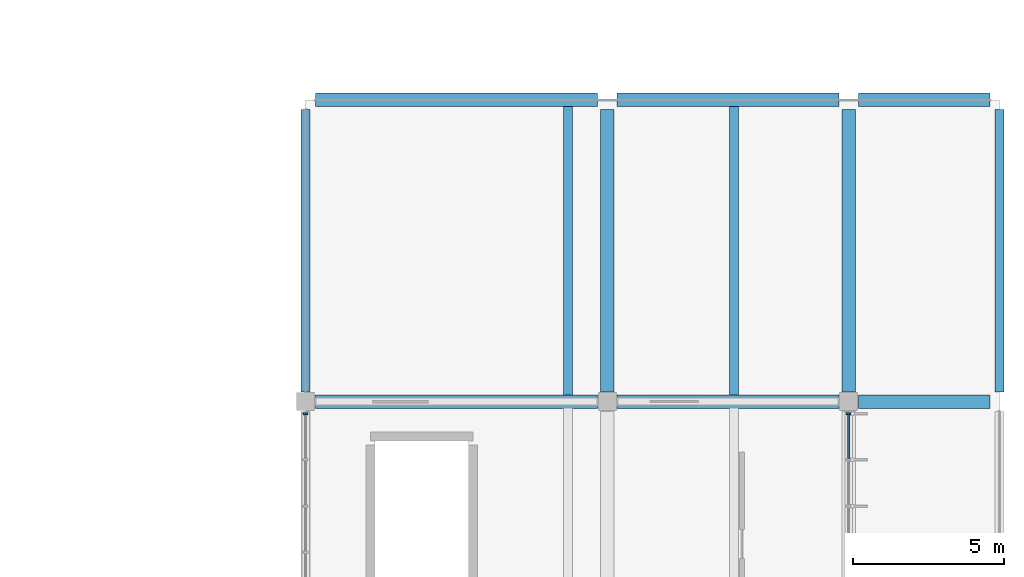
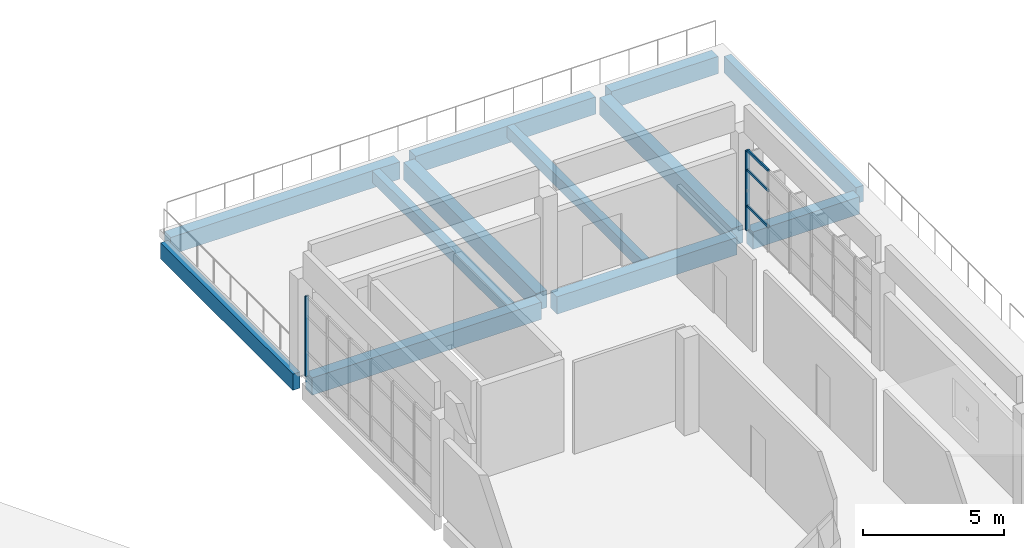
# One storey, part 14 of 39: 12 beams, 5 members, 2 elements without a shape of their own.
"""IFC4 building model written with IfcOpenShell, lengths in metres."""

import ifcopenshell
import ifcopenshell.guid

model = None  # the IFC model being written
_history = None  # IfcOwnerHistory: only IFC2X3 demands one
_inside = {}  # id of a spatial element -> (the spatial element, [elements in it])
_under = {}  # id of a project, library or spatial element -> (it, [spatial elements below it])
_declared = {}  # id of a project -> (the project, [libraries it declares])
_typed = {}  # id of a type object -> (the type object, [elements of that type])
_made_of = {}  # id of a material, layer set ... -> (it, [elements and type objects made of it])


def new_model(schema):
    """Start an empty IFC model of exactly this schema.

    Asked for "IFC4X3", IfcOpenShell would pick the latest addendum, in which some entities
    have other attributes; the version numbers below select the first issue.
    IFC2X3 requires an IfcOwnerHistory on every rooted entity: one is made here for all.
    """
    global model, _history
    if schema == "IFC4X3":
        model = ifcopenshell.file(schema_version=(4, 3, 0, 0))
    else:
        model = ifcopenshell.file(schema=schema)
    _inside.clear()
    _under.clear()
    _declared.clear()
    _typed.clear()
    _made_of.clear()
    _history = None
    if model.schema == "IFC2X3":
        org = make("IfcOrganization", Name="unknown")
        user = make(
            "IfcPersonAndOrganization",
            ThePerson=make("IfcPerson", FamilyName="unknown"),
            TheOrganization=org,
        )
        app = make(
            "IfcApplication",
            ApplicationDeveloper=org,
            Version="unknown",
            ApplicationFullName="unknown",
            ApplicationIdentifier="unknown",
        )
        _history = make(
            "IfcOwnerHistory",
            OwningUser=user,
            OwningApplication=app,
            ChangeAction="ADDED",
            CreationDate=0,
        )
    return model


def make(cls, **values):
    """One entity of the class cls with the attributes given. An attribute that is None is left unset."""
    return model.create_entity(
        cls, **{name: value for name, value in values.items() if value is not None}
    )


def rooted(cls, **values):
    """An entity with a GlobalId (a new one), such as an element, a storey or a relation."""
    return make(cls, GlobalId=ifcopenshell.guid.new(), OwnerHistory=_history, **values)


def si_unit(unit_type, name, prefix=None):
    """IfcSIUnit, for example si_unit("LENGTHUNIT", "METRE", prefix="MILLI")."""
    return make("IfcSIUnit", UnitType=unit_type, Prefix=prefix, Name=name)


def assignment(units):
    """IfcUnitAssignment: the units of a project."""
    return None if units is None else make("IfcUnitAssignment", Units=units)


def point(xyz):
    """IfcCartesianPoint."""
    return None if xyz is None else make("IfcCartesianPoint", Coordinates=xyz)


def direction(xyz):
    """IfcDirection."""
    return None if xyz is None else make("IfcDirection", DirectionRatios=xyz)


def frame(location, z_axis=None, x_axis=None):
    """IfcAxis2Placement3D, a coordinate frame: its origin and axes. An axis left out is left unset."""
    return make(
        "IfcAxis2Placement3D",
        Location=point(location),
        Axis=direction(z_axis),
        RefDirection=direction(x_axis),
    )


def frame_2d(location, x_axis=None):
    """IfcAxis2Placement2D, a coordinate frame in the plane: its origin and x axis."""
    return make(
        "IfcAxis2Placement2D", Location=point(location), RefDirection=direction(x_axis)
    )


def origin():
    """The frame at (0, 0, 0) with its axes left unset."""
    return frame((0.0, 0.0, 0.0))


def origin_2d():
    """The frame at (0, 0) in the plane with its x axis left unset."""
    return frame_2d((0.0, 0.0))


def place(relative_to, where):
    """IfcLocalPlacement: puts the frame where relative to a parent placement (None: the world)."""
    return make(
        "IfcLocalPlacement", PlacementRelTo=relative_to, RelativePlacement=where
    )


def context(
    kind, dimensions, precision=None, world=None, true_north=None, identifier=None
):
    """IfcGeometricRepresentationContext, for example the 3D "Model" context."""
    return make(
        "IfcGeometricRepresentationContext",
        ContextIdentifier=identifier,
        ContextType=kind,
        CoordinateSpaceDimension=dimensions,
        Precision=precision,
        WorldCoordinateSystem=world,
        TrueNorth=true_north,
    )


def subcontext(parent, identifier, kind, view, scale=None):
    """IfcGeometricRepresentationSubContext, for example "Body" below "Model"."""
    return make(
        "IfcGeometricRepresentationSubContext",
        ContextIdentifier=identifier,
        ContextType=kind,
        ParentContext=parent,
        TargetScale=scale,
        TargetView=view,
    )


def project(units=None, contexts=None):
    """IfcProject with its units and contexts."""
    return rooted(
        "IfcProject",
        Name="project",
        RepresentationContexts=contexts,
        UnitsInContext=assignment(units),
    )


def spatial(cls, under=None, at=None, **own):
    """A site, building, storey or space (cls), placed at a placement, below another one or the project."""
    s = rooted(cls, ObjectPlacement=at, **own)
    if under is not None:
        _under.setdefault(under.id(), (under, []))[1].append(s)
    return s


def profile(cls, at=None, kind="AREA", **sizes):
    """A parametric profile (cls). Its sizes go by their IFC names, for example OverallWidth=200.0."""
    return make(cls, ProfileType=kind, Position=at, **sizes)


def rectangle(**sizes):
    """IfcRectangleProfileDef."""
    return profile("IfcRectangleProfileDef", **sizes)


def extrude(swept, where, along, depth):
    """IfcExtrudedAreaSolid: the profile swept, set in the frame where, extruded along a direction by depth."""
    return make(
        "IfcExtrudedAreaSolid",
        SweptArea=swept,
        Position=where,
        ExtrudedDirection=direction(along),
        Depth=depth,
    )


def shape(context_of_items, identifier, shape_type, items):
    """IfcShapeRepresentation: the items that make up one representation, for example the "Body"."""
    return make(
        "IfcShapeRepresentation",
        ContextOfItems=context_of_items,
        RepresentationIdentifier=identifier,
        RepresentationType=shape_type,
        Items=items,
    )


def material(Name=None, Category=None):
    """IfcMaterial."""
    return make("IfcMaterial", Name=Name, Category=Category)


def layer(
    of_material, thickness, ventilated=None, Name=None, Category=None, Priority=None
):
    """IfcMaterialLayer: one layer of a wall or slab, of a material (None: an air gap)."""
    return make(
        "IfcMaterialLayer",
        Material=of_material,
        LayerThickness=thickness,
        IsVentilated=ventilated,
        Name=Name,
        Category=Category,
        Priority=Priority,
    )


def layer_set(layers, Name=None):
    """IfcMaterialLayerSet."""
    return make("IfcMaterialLayerSet", MaterialLayers=layers, LayerSetName=Name)


def material_profile(
    of_material, cross_section, Name=None, Category=None, Priority=None
):
    """IfcMaterialProfile: a cross section and its material."""
    return make(
        "IfcMaterialProfile",
        Name=Name,
        Material=of_material,
        Profile=cross_section,
        Priority=Priority,
        Category=Category,
    )


def profile_set(profiles, Name=None, composite=None):
    """IfcMaterialProfileSet."""
    return make(
        "IfcMaterialProfileSet",
        Name=Name,
        MaterialProfiles=profiles,
        CompositeProfile=composite,
    )


def made_of(thing, what):
    """Note that an element or type object is made of a material, layer set ...; save() writes the relation."""
    if what is not None:
        _made_of.setdefault(what.id(), (what, []))[1].append(thing)
    return thing


def type_object(cls, material=None, **own):
    """A type object (cls), such as IfcWallType, which elements share."""
    return made_of(rooted(cls, **own), material)


def element(
    cls,
    number,
    at=None,
    inside=None,
    cuts=None,
    type_object=None,
    material=None,
    context=None,
    identifier="Body",
    shape_type=None,
    held_by="IfcProductDefinitionShape",
    body=None,
    shapes=None,
    **own,
):
    """One element of the class cls, such as IfcWall. Its Tag is "e" and its number.

    at: its placement. inside: the storey or other place that contains it. cuts: it is an
    opening in that element (IfcRelVoidsElement). A single representation is given by context,
    identifier, shape_type and body (its items); several are given by shapes. held_by: the class
    of the entity that holds the representations. save() writes the other relations.
    """
    e = rooted(cls, Tag="e%d" % number, ObjectPlacement=at, **own)
    if body is not None:
        shapes = [shape(context, identifier, shape_type, body)]
    if shapes is not None:
        e.Representation = make(held_by, Representations=shapes)
    if inside is not None:
        _inside.setdefault(inside.id(), (inside, []))[1].append(e)
    if cuts is not None:
        rooted(
            "IfcRelVoidsElement", RelatingBuildingElement=cuts, RelatedOpeningElement=e
        )
    if type_object is not None:
        _typed.setdefault(type_object.id(), (type_object, []))[1].append(e)
    return made_of(e, material)


def aggregate(whole, parts):
    """IfcRelAggregates: a whole, such as a stair, and the parts it consists of."""
    return rooted("IfcRelAggregates", RelatingObject=whole, RelatedObjects=parts)


def save(model, path):
    """Write the relations noted so far, then the file.

    IfcRelAggregates (storeys below a building ...), IfcRelContainedInSpatialStructure (elements
    in a storey), IfcRelDefinesByType, IfcRelAssociatesMaterial and IfcRelDeclares: one each for
    every whole, place, type object, material and project.
    """
    for whole, parts in _under.values():
        aggregate(whole, parts)
    for where, things in _inside.values():
        rooted(
            "IfcRelContainedInSpatialStructure",
            RelatedElements=things,
            RelatingStructure=where,
        )
    for kind, things in _typed.values():
        rooted("IfcRelDefinesByType", RelatedObjects=things, RelatingType=kind)
    for what, things in _made_of.values():
        rooted("IfcRelAssociatesMaterial", RelatedObjects=things, RelatingMaterial=what)
    for by, libraries in _declared.values():
        rooted("IfcRelDeclares", RelatingContext=by, RelatedDefinitions=libraries)
    model.write(path)


model = new_model("IFC4")

# Units and contexts
model_context = context("Model", 3, precision=1e-05, world=origin(), true_north=direction((0.0, 1.0)))
body_context = subcontext(model_context, "Body", "Model", "MODEL_VIEW")
ifc_project = project(units=[si_unit("LENGTHUNIT", "METRE"), si_unit("AREAUNIT", "SQUARE_METRE"), si_unit("VOLUMEUNIT", "CUBIC_METRE"), si_unit("PLANEANGLEUNIT", "RADIAN"), si_unit("MASSUNIT", "GRAM", prefix="KILO")], contexts=[model_context])

# Site, building, storey
site_placement = place(None, origin())
site = spatial("IfcSite", under=ifc_project, at=site_placement, CompositionType="ELEMENT")
building_placement = place(site_placement, origin())
building = spatial("IfcBuilding", under=site, at=building_placement, Name="Corvandel Quay Wholesale Market", CompositionType="ELEMENT")
storey_placement = place(building_placement, frame((0.0, 0.0, 15.0)))
storey = spatial("IfcBuildingStorey", under=building, at=storey_placement, Name="L03", CompositionType="ELEMENT", Elevation=15.0)

# Curtain wall, member
ifc_material_1 = material(Name="Bronze anodised aluminium and low-E insulated glazing", Category="aluminium")
ifc_layer_1 = layer(ifc_material_1, 0.14990234375)
ifc_layer_set_1 = layer_set([ifc_layer_1], Name="Bronze anodised aluminium and low-E insulated glazing")
curtain_wall_type_1 = type_object("IfcCurtainWallType", Name="Stick Curtain Wall System CW20 H4800", PredefinedType="NOTDEFINED", material=ifc_layer_set_1)
curtain_wall_1_placement = place(storey_placement, origin())
curtain_wall_1 = element("IfcCurtainWall", 1, at=curtain_wall_1_placement, inside=storey, type_object=curtain_wall_type_1, Name="Curtain Wall CW-0166", PredefinedType="NOTDEFINED")
ifc_material_2 = material(Name="Anodised aluminium 6063-T6", Category="aluminium")
ifc_material_profile_1 = material_profile(ifc_material_2, rectangle(XDim=0.06494140625, YDim=0.14990234375, at=origin_2d()), Name="ALU-MUL-65x150")
ifc_profile_set_1 = profile_set([ifc_material_profile_1], Name="Anodised aluminium 6063-T6")
member_type_1 = type_object("IfcMemberType", Name="Curtain Wall Mullion ML02 65x150", PredefinedType="MULLION", material=ifc_profile_set_1)
member_1_placement = place(storey_placement, frame((238.0, 89.60009765625, 0.0), z_axis=(0.0, 0.0, 1.0), x_axis=(0.0, 1.0, 0.0)))
member_1 = element("IfcMember", 2, at=member_1_placement, type_object=member_type_1, Name="Mullion CW-0166-M06", PredefinedType="MULLION", context=body_context, shape_type="SweptSolid", body=[
    extrude(rectangle(XDim=0.06494140625, YDim=0.14990234375, at=origin_2d()), origin(), (0.0, 0.0, 1.0), 3.449951171875),
])

ifc_layer_2 = layer(ifc_material_1, 0.162109375)
ifc_layer_set_2 = layer_set([ifc_layer_2], Name="Bronze anodised aluminium and low-E insulated glazing")
curtain_wall_type_2 = type_object("IfcCurtainWallType", Name="Stick Curtain Wall System CW26 H5340", PredefinedType="NOTDEFINED", material=ifc_layer_set_2)
curtain_wall_2_placement = place(storey_placement, origin())
curtain_wall_2 = element("IfcCurtainWall", 3, at=curtain_wall_2_placement, inside=storey, type_object=curtain_wall_type_2, Name="Curtain Wall CW-0167", PredefinedType="NOTDEFINED")
member_2_placement = place(storey_placement, frame((220.0, 89.60009765625, 0.0), z_axis=(0.0, 0.0, 1.0), x_axis=(0.0, 1.0, 0.0)))
member_2 = element("IfcMember", 4, at=member_2_placement, type_object=member_type_1, Name="Mullion CW-0167-M06", PredefinedType="MULLION", context=body_context, shape_type="SweptSolid", body=[
    extrude(rectangle(XDim=0.06494140625, YDim=0.14990234375, at=origin_2d()), origin(), (0.0, 0.0, 1.0), 3.449951171875),
])
aggregate(curtain_wall_2, [member_2])

# Member
ifc_material_profile_2 = material_profile(ifc_material_2, rectangle(XDim=0.06005859375, YDim=0.110107421875, at=origin_2d()), Name="ALU-TRN-60x110")
ifc_profile_set_2 = profile_set([ifc_material_profile_2], Name="Anodised aluminium 6063-T6")
member_type_2 = type_object("IfcMemberType", Name="Curtain Wall Transom TR02 60x110", PredefinedType="USERDEFINED", material=ifc_profile_set_2)
member_3_placement = place(storey_placement, frame((238.0, 88.09912109375, 1.050048828125), z_axis=(0.0, 1.0, 0.0), x_axis=(-1.0, 0.0, 0.0)))
member_3 = element("IfcMember", 5, at=member_3_placement, type_object=member_type_2, Name="Transom CW-0166-T05-1", ObjectType="TRANSOM", PredefinedType="USERDEFINED", context=body_context, shape_type="SweptSolid", body=[
    extrude(rectangle(XDim=0.06005859375, YDim=0.110107421875, at=origin_2d()), origin(), (0.0, 0.0, 1.0), 1.46826171875),
])

member_4_placement = place(storey_placement, frame((238.0, 88.09912109375, 2.60009765625), z_axis=(0.0, 1.0, 0.0), x_axis=(-1.0, 0.0, 0.0)))
member_4 = element("IfcMember", 6, at=member_4_placement, type_object=member_type_2, Name="Transom CW-0166-T05-2", ObjectType="TRANSOM", PredefinedType="USERDEFINED", context=body_context, shape_type="SweptSolid", body=[
    extrude(rectangle(XDim=0.06005859375, YDim=0.110107421875, at=origin_2d()), origin(), (0.0, 0.0, 1.0), 1.46826171875),
])

member_5_placement = place(storey_placement, frame((238.0, 88.09912109375, 3.449951171875), z_axis=(0.0, 1.0, 0.0), x_axis=(-1.0, 0.0, 0.0)))
member_5 = element("IfcMember", 7, at=member_5_placement, type_object=member_type_2, Name="Transom CW-0166-T05-3", ObjectType="TRANSOM", PredefinedType="USERDEFINED", context=body_context, shape_type="SweptSolid", body=[
    extrude(rectangle(XDim=0.06005859375, YDim=0.110107421875, at=origin_2d()), origin(), (0.0, 0.0, 1.0), 1.46826171875),
])

aggregate(curtain_wall_1, [member_1, member_3, member_4, member_5])

# Beams
ifc_material_3 = material(Name="Precast concrete C45/55", Category="concrete")
ifc_material_profile_3 = material_profile(ifc_material_3, rectangle(XDim=0.300048828125, YDim=0.5, at=origin_2d()), Name="PC-BM-300x500")
ifc_profile_set_3 = profile_set([ifc_material_profile_3], Name="Precast concrete C45/55")
beam_type_1 = type_object("IfcBeamType", Name="Office Floor Secondary Beam B04 300x500", PredefinedType="BEAM", material=ifc_profile_set_3)
for number, where, z_axis, x_axis, name in (
    (8, (228.699951171875, 90.215087890625, -0.570068359375), (0.0, 1.0, 0.0), (-1.0, 0.0, 0.0), "Beam BM-1694"),
    (9, (234.199951171875, 90.215087890625, -0.570068359375), (0.0, 1.0, 0.0), (-1.0, 0.0, 0.0), "Beam BM-1695"),
):
    element("IfcBeam", number, at=place(storey_placement, frame(where, z_axis=z_axis, x_axis=x_axis)), inside=storey, type_object=beam_type_1, Name=name, PredefinedType="BEAM", context=body_context, shape_type="SweptSolid", body=[
        extrude(rectangle(XDim=0.300048828125, YDim=0.5, at=origin_2d()), origin(), (0.0, 0.0, 1.0), 9.56982421875),
    ])
ifc_material_profile_4 = material_profile(ifc_material_3, rectangle(XDim=0.300048828125, YDim=0.699951171875, at=origin_2d()), Name="PC-SPN-300x700")
ifc_profile_set_4 = profile_set([ifc_material_profile_4], Name="Precast concrete C45/55")
beam_type_2 = type_object("IfcBeamType", Name="Terrace Edge Spandrel SP03 300x700", PredefinedType="SPANDREL", material=ifc_profile_set_4)
for number, where, z_axis, x_axis, name in (
    (10, (220.0, 90.320068359375, -0.669921875), (0.0, 1.0, 0.0), (-1.0, 0.0, 0.0), "Beam BM-1650"),
    (11, (243.0, 90.320068359375, -0.669921875), (0.0, 1.0, 0.0), (-1.0, 0.0, 0.0), "Beam BM-1677"),
):
    element("IfcBeam", number, at=place(storey_placement, frame(where, z_axis=z_axis, x_axis=x_axis)), inside=storey, type_object=beam_type_2, Name=name, PredefinedType="SPANDREL", context=body_context, shape_type="SweptSolid", body=[
        extrude(rectangle(XDim=0.300048828125, YDim=0.699951171875, at=origin_2d()), origin(), (0.0, 0.0, 1.0), 9.35986328125),
    ])
ifc_material_profile_5 = material_profile(ifc_material_3, rectangle(XDim=0.449951171875, YDim=0.75, at=origin_2d()), Name="PC-GIR-450x750")
ifc_profile_set_5 = profile_set([ifc_material_profile_5], Name="Precast concrete C45/55")
beam_type_3 = type_object("IfcBeamType", Name="Waterfront Office Girder G06 450x750", PredefinedType="USERDEFINED", material=ifc_profile_set_5)
beam_1_placement = place(storey_placement, frame((220.320068359375, 90.0, -0.695068359375), z_axis=(1.0, 0.0, 0.0), x_axis=(0.0, 1.0, 0.0)))
element("IfcBeam", 12, at=beam_1_placement, inside=storey, type_object=beam_type_3, Name="Beam BM-1636", ObjectType="GIRDER", PredefinedType="USERDEFINED", context=body_context, shape_type="SweptSolid", body=[
    extrude(rectangle(XDim=0.449951171875, YDim=0.75, at=origin_2d()), origin(), (0.0, 0.0, 1.0), 9.35986328125),
])
beam_2_placement = place(storey_placement, frame((230.320068359375, 90.0, -0.695068359375), z_axis=(1.0, 0.0, 0.0), x_axis=(0.0, 1.0, 0.0)))
element("IfcBeam", 13, at=beam_2_placement, inside=storey, type_object=beam_type_3, Name="Beam BM-1637", ObjectType="GIRDER", PredefinedType="USERDEFINED", context=body_context, shape_type="SweptSolid", body=[
    extrude(rectangle(XDim=0.449951171875, YDim=0.75, at=origin_2d()), origin(), (0.0, 0.0, 1.0), 7.35986328125),
])
beam_3_placement = place(storey_placement, frame((238.320068359375, 90.0, -0.695068359375), z_axis=(1.0, 0.0, 0.0), x_axis=(0.0, 1.0, 0.0)))
element("IfcBeam", 14, at=beam_3_placement, inside=storey, type_object=beam_type_3, Name="Beam BM-1638", ObjectType="GIRDER", PredefinedType="USERDEFINED", context=body_context, shape_type="SweptSolid", body=[
    extrude(rectangle(XDim=0.449951171875, YDim=0.75, at=origin_2d()), origin(), (0.0, 0.0, 1.0), 4.35986328125),
])
beam_4_placement = place(storey_placement, frame((220.320068359375, 100.0, -0.695068359375), z_axis=(1.0, 0.0, 0.0), x_axis=(0.0, 1.0, 0.0)))
element("IfcBeam", 15, at=beam_4_placement, inside=storey, type_object=beam_type_3, Name="Beam BM-1639", ObjectType="GIRDER", PredefinedType="USERDEFINED", context=body_context, shape_type="SweptSolid", body=[
    extrude(rectangle(XDim=0.449951171875, YDim=0.75, at=origin_2d()), origin(), (0.0, 0.0, 1.0), 9.35986328125),
])
beam_5_placement = place(storey_placement, frame((230.320068359375, 100.0, -0.695068359375), z_axis=(1.0, 0.0, 0.0), x_axis=(0.0, 1.0, 0.0)))
element("IfcBeam", 16, at=beam_5_placement, inside=storey, type_object=beam_type_3, Name="Beam BM-1640", ObjectType="GIRDER", PredefinedType="USERDEFINED", context=body_context, shape_type="SweptSolid", body=[
    extrude(rectangle(XDim=0.449951171875, YDim=0.75, at=origin_2d()), origin(), (0.0, 0.0, 1.0), 7.35986328125),
])
beam_6_placement = place(storey_placement, frame((238.320068359375, 100.0, -0.695068359375), z_axis=(1.0, 0.0, 0.0), x_axis=(0.0, 1.0, 0.0)))
element("IfcBeam", 17, at=beam_6_placement, inside=storey, type_object=beam_type_3, Name="Beam BM-1641", ObjectType="GIRDER", PredefinedType="USERDEFINED", context=body_context, shape_type="SweptSolid", body=[
    extrude(rectangle(XDim=0.449951171875, YDim=0.75, at=origin_2d()), origin(), (0.0, 0.0, 1.0), 4.35986328125),
])
for number, where, z_axis, x_axis, name in (
    (18, (230.0, 90.320068359375, -0.695068359375), (0.0, 1.0, 0.0), (-1.0, 0.0, 0.0), "Beam BM-1659"),
    (19, (238.0, 90.320068359375, -0.695068359375), (0.0, 1.0, 0.0), (-1.0, 0.0, 0.0), "Beam BM-1668"),
):
    element("IfcBeam", number, at=place(storey_placement, frame(where, z_axis=z_axis, x_axis=x_axis)), inside=storey, type_object=beam_type_3, Name=name, ObjectType="GIRDER", PredefinedType="USERDEFINED", context=body_context, shape_type="SweptSolid", body=[
        extrude(rectangle(XDim=0.449951171875, YDim=0.75, at=origin_2d()), origin(), (0.0, 0.0, 1.0), 9.35986328125),
    ])

save(model, "model.ifc")
